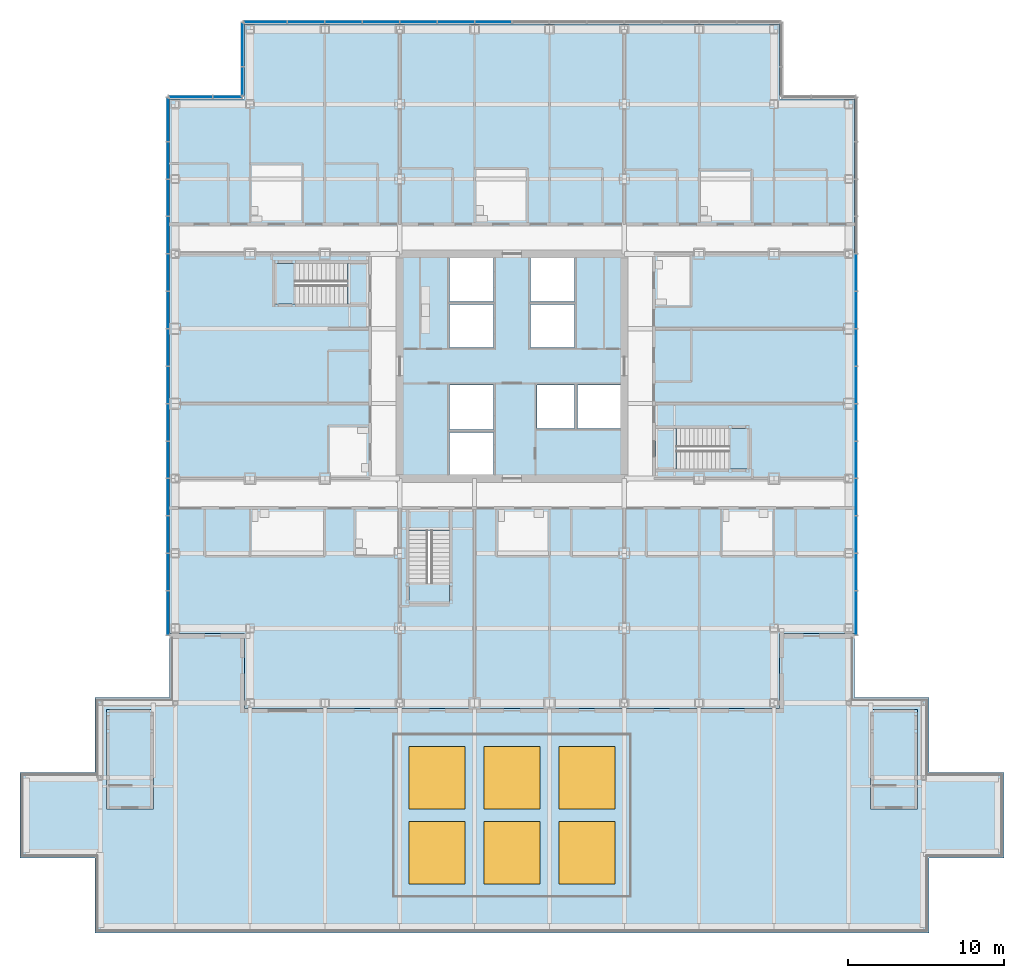
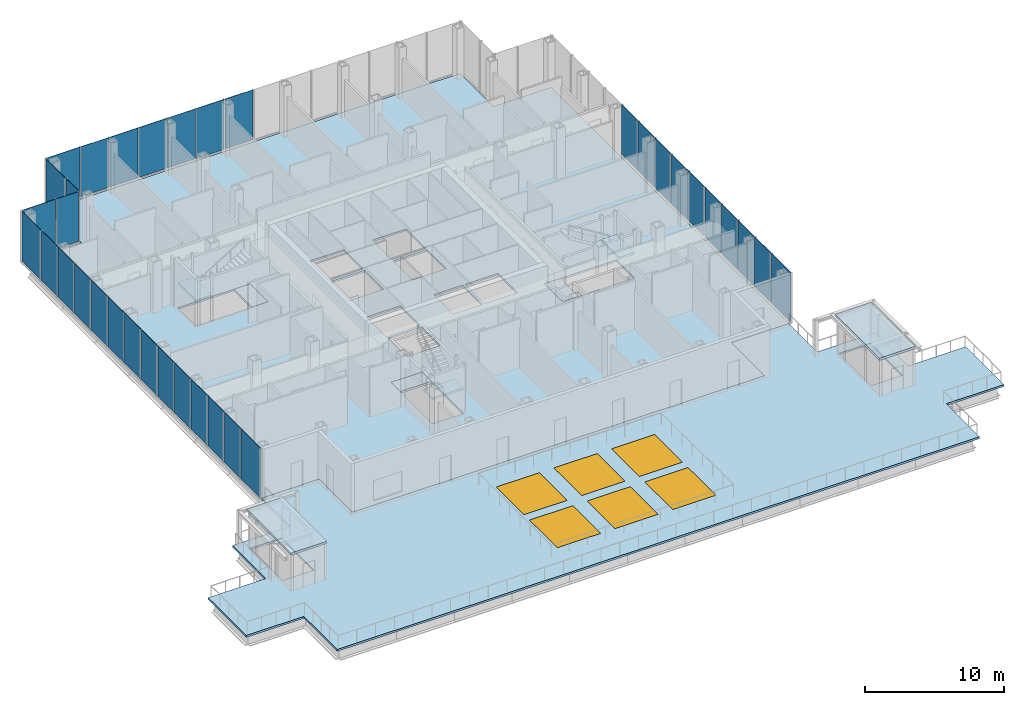
# One storey, part 14 of 24: 35 plates, 10 slabs, 6 windows, 6 openings, 8 elements without a shape of their own.
"""IFC4 building model written with IfcOpenShell, lengths in metres."""

from ifc_helpers import new_model, si_unit, direction, frame, origin, origin_2d, place, context, subcontext, project, spatial, polyline, rectangle, outline, extrude, material, layer, layer_set, type_object, element, fill, aggregate, save


model = new_model("IFC4")

# Units and contexts
model_context = context("Model", 3, precision=1e-05, world=origin(), true_north=direction((0.0, 1.0)))
body_context = subcontext(model_context, "Body", "Model", "MODEL_VIEW")
ifc_project = project(units=[si_unit("LENGTHUNIT", "METRE"), si_unit("AREAUNIT", "SQUARE_METRE"), si_unit("VOLUMEUNIT", "CUBIC_METRE"), si_unit("PLANEANGLEUNIT", "RADIAN"), si_unit("MASSUNIT", "GRAM", prefix="KILO")], contexts=[model_context])

# Site, building, storey
site_placement = place(None, origin())
site = spatial("IfcSite", under=ifc_project, at=site_placement, CompositionType="ELEMENT")
building_placement = place(site_placement, origin())
building = spatial("IfcBuilding", under=site, at=building_placement, Name="Kvirike Care Tower", CompositionType="ELEMENT")
storey_placement = place(building_placement, frame((0.0, 0.0, 22.5)))
storey = spatial("IfcBuildingStorey", under=building, at=storey_placement, Name="L05", CompositionType="ELEMENT", Elevation=22.5)

# Slabs
ifc_material_1 = material(Name="Concrete C35/45", Category="concrete")
ifc_layer_1 = layer(ifc_material_1, 0.169921875)
ifc_layer_set_1 = layer_set([ifc_layer_1], Name="FLOOR SLAB 170")
slab_type_1 = type_object("IfcSlabType", Name="FLOOR SLAB 170", PredefinedType="FLOOR", material=ifc_layer_set_1)
slab_1_placement = place(storey_placement, frame((0.0, 0.0, -0.169921875)))
element("IfcSlab", 1, at=slab_1_placement, inside=storey, type_object=slab_type_1, Name="Floor slab L05", PredefinedType="FLOOR", context=body_context, shape_type="SweptSolid", body=[
    extrude(outline(polyline([(-0.35009765625, 53.14990234375), (-0.35009765625, 18.85009765625), (4.449951171875, 18.85009765625), (4.449951171875, 14.050048828125), (38.75, 14.050048828125), (38.75, 18.85009765625), (43.550048828125, 18.85009765625), (43.550048828125, 53.14990234375), (38.75, 53.14990234375), (38.75, 57.949951171875), (4.449951171875, 57.949951171875), (4.449951171875, 53.14990234375), (-0.35009765625, 53.14990234375)]), holes=[polyline([(17.60009765625, 29.050048828125), (17.60009765625, 31.75), (20.39990234375, 31.75), (20.39990234375, 29.050048828125), (17.60009765625, 29.050048828125)]), polyline([(17.60009765625, 31.949951171875), (17.60009765625, 34.800048828125), (20.39990234375, 34.800048828125), (20.39990234375, 31.949951171875), (17.60009765625, 31.949951171875)]), polyline([(17.60009765625, 37.199951171875), (17.60009765625, 39.949951171875), (20.39990234375, 39.949951171875), (20.39990234375, 37.199951171875), (17.60009765625, 37.199951171875)]), polyline([(17.60009765625, 40.14990234375), (17.60009765625, 42.949951171875), (20.39990234375, 42.949951171875), (20.39990234375, 40.14990234375), (17.60009765625, 40.14990234375)]), polyline([(22.800048828125, 37.199951171875), (22.800048828125, 39.949951171875), (25.60009765625, 39.949951171875), (25.60009765625, 37.199951171875), (22.800048828125, 37.199951171875)]), polyline([(22.800048828125, 40.14990234375), (22.800048828125, 42.949951171875), (25.60009765625, 42.949951171875), (25.60009765625, 40.14990234375), (22.800048828125, 40.14990234375)]), polyline([(23.199951171875, 32.0), (23.199951171875, 34.800048828125), (25.60009765625, 34.800048828125), (25.60009765625, 32.0), (23.199951171875, 32.0)]), polyline([(25.800048828125, 32.0), (25.800048828125, 34.800048828125), (28.550048828125, 34.800048828125), (28.550048828125, 32.0), (25.800048828125, 32.0)]), polyline([(12.39990234375, 42.60009765625), (12.39990234375, 40.0), (6.39990234375, 40.0), (6.39990234375, 42.60009765625), (12.39990234375, 42.60009765625)]), polyline([(30.800048828125, 29.39990234375), (30.800048828125, 32.0), (36.800048828125, 32.0), (36.800048828125, 29.39990234375), (30.800048828125, 29.39990234375)]), polyline([(15.0, 26.800048828125), (17.60009765625, 26.800048828125), (17.60009765625, 20.800048828125), (15.0, 20.800048828125), (15.0, 26.800048828125)])]), origin(), (0.0, 0.0, 1.0), 0.169921875),
])
ifc_material_2 = material(Name="Concrete C35/45", Category="concrete")
ifc_layer_2 = layer(ifc_material_2, 0.199951171875)
ifc_layer_set_2 = layer_set([ifc_layer_2], Name="HEAD-HOUSE ROOF SLAB 200")
slab_type_2 = type_object("IfcSlabType", Name="HEAD-HOUSE ROOF SLAB 200", PredefinedType="ROOF", material=ifc_layer_set_2)
slab_2_placement = place(storey_placement, frame((0.0, 0.0, 3.199951171875)))
element("IfcSlab", 2, at=slab_2_placement, inside=storey, type_object=slab_type_2, Name="Stair 3 head-house roof", PredefinedType="ROOF", context=body_context, shape_type="SweptSolid", body=[
    extrude(outline(polyline([(-4.39990234375, 14.0), (-4.39990234375, 7.60009765625), (-1.39990234375, 7.60009765625), (-1.39990234375, 14.0), (-4.39990234375, 14.0)])), origin(), (0.0, 0.0, 1.0), 0.199951171875),
])
slab_3_placement = place(storey_placement, frame((0.0, 0.0, 3.199951171875)))
element("IfcSlab", 3, at=slab_3_placement, inside=storey, type_object=slab_type_2, Name="Stair 4 head-house roof", PredefinedType="ROOF", context=body_context, shape_type="SweptSolid", body=[
    extrude(outline(polyline([(44.60009765625, 14.0), (44.60009765625, 7.60009765625), (47.60009765625, 7.60009765625), (47.60009765625, 14.0), (44.60009765625, 14.0)])), origin(), (0.0, 0.0, 1.0), 0.199951171875),
])

# Curtain wall, plates
ifc_material_3 = material(Name="Anodised aluminium stick system", Category="aluminium")
curtain_wall_type = type_object("IfcCurtainWallType", Name="CW-P PODIUM STICK CURTAIN WALL", PredefinedType="NOTDEFINED", material=ifc_material_3)
curtain_wall_1_placement = place(storey_placement, origin())
curtain_wall_1 = element("IfcCurtainWall", 4, at=curtain_wall_1_placement, inside=storey, type_object=curtain_wall_type, Name="Curtain wall L05 face 1", PredefinedType="NOTDEFINED")
ifc_material_4 = material(Name="Tinted double glazed unit", Category="glass")
ifc_layer_3 = layer(ifc_material_4, 0.031982421875)
ifc_layer_set_3 = layer_set([ifc_layer_3], Name="PODIUM VISION PANEL 32")
plate_type = type_object("IfcPlateType", Name="PODIUM VISION PANEL 32", PredefinedType="CURTAIN_PANEL", material=ifc_layer_set_3)
plate_1_placement = place(storey_placement, frame((-0.47509765625, 51.8212890625, 0.10009765625), z_axis=(0.0, 0.0, 1.0), x_axis=(0.0, -1.0, 0.0)))
plate_1 = element("IfcPlate", 5, at=plate_1_placement, type_object=plate_type, Name="CW-P panel L05 face 1.1", PredefinedType="CURTAIN_PANEL", context=body_context, shape_type="SweptSolid", body=[
    extrude(rectangle(XDim=2.777587890625, YDim=0.031982421875, at=origin_2d()), origin(), (0.0, 0.0, 1.0), 4.39990234375),
])
plate_2_placement = place(storey_placement, frame((-0.47509765625, 49.199951171875, 0.10009765625), z_axis=(0.0, 0.0, 1.0), x_axis=(0.0, -1.0, 0.0)))
plate_2 = element("IfcPlate", 6, at=plate_2_placement, type_object=plate_type, Name="CW-P panel L05 face 1.2", PredefinedType="CURTAIN_PANEL", context=body_context, shape_type="SweptSolid", body=[
    extrude(rectangle(XDim=2.3349609375, YDim=0.031982421875, at=origin_2d()), origin(), (0.0, 0.0, 1.0), 4.39990234375),
])
plate_3_placement = place(storey_placement, frame((-0.47509765625, 46.800048828125, 0.10009765625), z_axis=(0.0, 0.0, 1.0), x_axis=(0.0, -1.0, 0.0)))
plate_3 = element("IfcPlate", 7, at=plate_3_placement, type_object=plate_type, Name="CW-P panel L05 face 1.3", PredefinedType="CURTAIN_PANEL", context=body_context, shape_type="SweptSolid", body=[
    extrude(rectangle(XDim=2.3349609375, YDim=0.031982421875, at=origin_2d()), origin(), (0.0, 0.0, 1.0), 4.39990234375),
])
plate_4_placement = place(storey_placement, frame((-0.47509765625, 44.39990234375, 0.10009765625), z_axis=(0.0, 0.0, 1.0), x_axis=(0.0, -1.0, 0.0)))
plate_4 = element("IfcPlate", 8, at=plate_4_placement, type_object=plate_type, Name="CW-P panel L05 face 1.4", PredefinedType="CURTAIN_PANEL", context=body_context, shape_type="SweptSolid", body=[
    extrude(rectangle(XDim=2.3349609375, YDim=0.031982421875, at=origin_2d()), origin(), (0.0, 0.0, 1.0), 4.39990234375),
])
plate_5_placement = place(storey_placement, frame((-0.47509765625, 42.0, 0.10009765625), z_axis=(0.0, 0.0, 1.0), x_axis=(0.0, -1.0, 0.0)))
plate_5 = element("IfcPlate", 9, at=plate_5_placement, type_object=plate_type, Name="CW-P panel L05 face 1.5", PredefinedType="CURTAIN_PANEL", context=body_context, shape_type="SweptSolid", body=[
    extrude(rectangle(XDim=2.3349609375, YDim=0.031982421875, at=origin_2d()), origin(), (0.0, 0.0, 1.0), 4.39990234375),
])
plate_6_placement = place(storey_placement, frame((-0.47509765625, 39.60009765625, 0.10009765625), z_axis=(0.0, 0.0, 1.0), x_axis=(0.0, -1.0, 0.0)))
plate_6 = element("IfcPlate", 10, at=plate_6_placement, type_object=plate_type, Name="CW-P panel L05 face 1.6", PredefinedType="CURTAIN_PANEL", context=body_context, shape_type="SweptSolid", body=[
    extrude(rectangle(XDim=2.3349609375, YDim=0.031982421875, at=origin_2d()), origin(), (0.0, 0.0, 1.0), 4.39990234375),
])
plate_7_placement = place(storey_placement, frame((-0.47509765625, 37.199951171875, 0.10009765625), z_axis=(0.0, 0.0, 1.0), x_axis=(0.0, -1.0, 0.0)))
plate_7 = element("IfcPlate", 11, at=plate_7_placement, type_object=plate_type, Name="CW-P panel L05 face 1.7", PredefinedType="CURTAIN_PANEL", context=body_context, shape_type="SweptSolid", body=[
    extrude(rectangle(XDim=2.3349609375, YDim=0.031982421875, at=origin_2d()), origin(), (0.0, 0.0, 1.0), 4.39990234375),
])
plate_8_placement = place(storey_placement, frame((-0.47509765625, 34.800048828125, 0.10009765625), z_axis=(0.0, 0.0, 1.0), x_axis=(0.0, -1.0, 0.0)))
plate_8 = element("IfcPlate", 12, at=plate_8_placement, type_object=plate_type, Name="CW-P panel L05 face 1.8", PredefinedType="CURTAIN_PANEL", context=body_context, shape_type="SweptSolid", body=[
    extrude(rectangle(XDim=2.3349609375, YDim=0.031982421875, at=origin_2d()), origin(), (0.0, 0.0, 1.0), 4.39990234375),
])
plate_9_placement = place(storey_placement, frame((-0.47509765625, 32.39990234375, 0.10009765625), z_axis=(0.0, 0.0, 1.0), x_axis=(0.0, -1.0, 0.0)))
plate_9 = element("IfcPlate", 13, at=plate_9_placement, type_object=plate_type, Name="CW-P panel L05 face 1.9", PredefinedType="CURTAIN_PANEL", context=body_context, shape_type="SweptSolid", body=[
    extrude(rectangle(XDim=2.3349609375, YDim=0.031982421875, at=origin_2d()), origin(), (0.0, 0.0, 1.0), 4.39990234375),
])
plate_10_placement = place(storey_placement, frame((-0.47509765625, 30.0, 0.10009765625), z_axis=(0.0, 0.0, 1.0), x_axis=(0.0, -1.0, 0.0)))
plate_10 = element("IfcPlate", 14, at=plate_10_placement, type_object=plate_type, Name="CW-P panel L05 face 1.10", PredefinedType="CURTAIN_PANEL", context=body_context, shape_type="SweptSolid", body=[
    extrude(rectangle(XDim=2.3349609375, YDim=0.031982421875, at=origin_2d()), origin(), (0.0, 0.0, 1.0), 4.39990234375),
])
plate_11_placement = place(storey_placement, frame((-0.47509765625, 27.60009765625, 0.10009765625), z_axis=(0.0, 0.0, 1.0), x_axis=(0.0, -1.0, 0.0)))
plate_11 = element("IfcPlate", 15, at=plate_11_placement, type_object=plate_type, Name="CW-P panel L05 face 1.11", PredefinedType="CURTAIN_PANEL", context=body_context, shape_type="SweptSolid", body=[
    extrude(rectangle(XDim=2.3349609375, YDim=0.031982421875, at=origin_2d()), origin(), (0.0, 0.0, 1.0), 4.39990234375),
])
plate_12_placement = place(storey_placement, frame((-0.47509765625, 25.199951171875, 0.10009765625), z_axis=(0.0, 0.0, 1.0), x_axis=(0.0, -1.0, 0.0)))
plate_12 = element("IfcPlate", 16, at=plate_12_placement, type_object=plate_type, Name="CW-P panel L05 face 1.12", PredefinedType="CURTAIN_PANEL", context=body_context, shape_type="SweptSolid", body=[
    extrude(rectangle(XDim=2.3349609375, YDim=0.031982421875, at=origin_2d()), origin(), (0.0, 0.0, 1.0), 4.39990234375),
])
plate_13_placement = place(storey_placement, frame((-0.47509765625, 22.800048828125, 0.10009765625), z_axis=(0.0, 0.0, 1.0), x_axis=(0.0, -1.0, 0.0)))
plate_13 = element("IfcPlate", 17, at=plate_13_placement, type_object=plate_type, Name="CW-P panel L05 face 1.13", PredefinedType="CURTAIN_PANEL", context=body_context, shape_type="SweptSolid", body=[
    extrude(rectangle(XDim=2.3349609375, YDim=0.031982421875, at=origin_2d()), origin(), (0.0, 0.0, 1.0), 4.39990234375),
])
plate_14_placement = place(storey_placement, frame((-0.47509765625, 20.1787109375, 0.10009765625), z_axis=(0.0, 0.0, 1.0), x_axis=(0.0, -1.0, 0.0)))
plate_14 = element("IfcPlate", 18, at=plate_14_placement, type_object=plate_type, Name="CW-P panel L05 face 1.14", PredefinedType="CURTAIN_PANEL", context=body_context, shape_type="SweptSolid", body=[
    extrude(rectangle(XDim=2.777587890625, YDim=0.031982421875, at=origin_2d()), origin(), (0.0, 0.0, 1.0), 4.39990234375),
])
aggregate(curtain_wall_1, [plate_1, plate_2, plate_3, plate_4, plate_5, plate_6, plate_7, plate_8, plate_9, plate_10, plate_11, plate_12, plate_13, plate_14])

curtain_wall_2_placement = place(storey_placement, origin())
curtain_wall_2 = element("IfcCurtainWall", 19, at=curtain_wall_2_placement, inside=storey, type_object=curtain_wall_type, Name="Curtain wall L05 face 7", PredefinedType="NOTDEFINED")
plate_15_placement = place(storey_placement, frame((43.675048828125, 20.1787109375, 0.10009765625), z_axis=(0.0, 0.0, 1.0), x_axis=(0.0, 1.0, 0.0)))
plate_15 = element("IfcPlate", 20, at=plate_15_placement, type_object=plate_type, Name="CW-P panel L05 face 7.1", PredefinedType="CURTAIN_PANEL", context=body_context, shape_type="SweptSolid", body=[
    extrude(rectangle(XDim=2.777587890625, YDim=0.031982421875, at=origin_2d()), origin(), (0.0, 0.0, 1.0), 4.39990234375),
])
plate_16_placement = place(storey_placement, frame((43.675048828125, 22.800048828125, 0.10009765625), z_axis=(0.0, 0.0, 1.0), x_axis=(0.0, 1.0, 0.0)))
plate_16 = element("IfcPlate", 21, at=plate_16_placement, type_object=plate_type, Name="CW-P panel L05 face 7.2", PredefinedType="CURTAIN_PANEL", context=body_context, shape_type="SweptSolid", body=[
    extrude(rectangle(XDim=2.3349609375, YDim=0.031982421875, at=origin_2d()), origin(), (0.0, 0.0, 1.0), 4.39990234375),
])
plate_17_placement = place(storey_placement, frame((43.675048828125, 25.199951171875, 0.10009765625), z_axis=(0.0, 0.0, 1.0), x_axis=(0.0, 1.0, 0.0)))
plate_17 = element("IfcPlate", 22, at=plate_17_placement, type_object=plate_type, Name="CW-P panel L05 face 7.3", PredefinedType="CURTAIN_PANEL", context=body_context, shape_type="SweptSolid", body=[
    extrude(rectangle(XDim=2.3349609375, YDim=0.031982421875, at=origin_2d()), origin(), (0.0, 0.0, 1.0), 4.39990234375),
])
plate_18_placement = place(storey_placement, frame((43.675048828125, 27.60009765625, 0.10009765625), z_axis=(0.0, 0.0, 1.0), x_axis=(0.0, 1.0, 0.0)))
plate_18 = element("IfcPlate", 23, at=plate_18_placement, type_object=plate_type, Name="CW-P panel L05 face 7.4", PredefinedType="CURTAIN_PANEL", context=body_context, shape_type="SweptSolid", body=[
    extrude(rectangle(XDim=2.3349609375, YDim=0.031982421875, at=origin_2d()), origin(), (0.0, 0.0, 1.0), 4.39990234375),
])
plate_19_placement = place(storey_placement, frame((43.675048828125, 30.0, 0.10009765625), z_axis=(0.0, 0.0, 1.0), x_axis=(0.0, 1.0, 0.0)))
plate_19 = element("IfcPlate", 24, at=plate_19_placement, type_object=plate_type, Name="CW-P panel L05 face 7.5", PredefinedType="CURTAIN_PANEL", context=body_context, shape_type="SweptSolid", body=[
    extrude(rectangle(XDim=2.3349609375, YDim=0.031982421875, at=origin_2d()), origin(), (0.0, 0.0, 1.0), 4.39990234375),
])
plate_20_placement = place(storey_placement, frame((43.675048828125, 32.39990234375, 0.10009765625), z_axis=(0.0, 0.0, 1.0), x_axis=(0.0, 1.0, 0.0)))
plate_20 = element("IfcPlate", 25, at=plate_20_placement, type_object=plate_type, Name="CW-P panel L05 face 7.6", PredefinedType="CURTAIN_PANEL", context=body_context, shape_type="SweptSolid", body=[
    extrude(rectangle(XDim=2.3349609375, YDim=0.031982421875, at=origin_2d()), origin(), (0.0, 0.0, 1.0), 4.39990234375),
])
plate_21_placement = place(storey_placement, frame((43.675048828125, 34.800048828125, 0.10009765625), z_axis=(0.0, 0.0, 1.0), x_axis=(0.0, 1.0, 0.0)))
plate_21 = element("IfcPlate", 26, at=plate_21_placement, type_object=plate_type, Name="CW-P panel L05 face 7.7", PredefinedType="CURTAIN_PANEL", context=body_context, shape_type="SweptSolid", body=[
    extrude(rectangle(XDim=2.3349609375, YDim=0.031982421875, at=origin_2d()), origin(), (0.0, 0.0, 1.0), 4.39990234375),
])
plate_22_placement = place(storey_placement, frame((43.675048828125, 37.199951171875, 0.10009765625), z_axis=(0.0, 0.0, 1.0), x_axis=(0.0, 1.0, 0.0)))
plate_22 = element("IfcPlate", 27, at=plate_22_placement, type_object=plate_type, Name="CW-P panel L05 face 7.8", PredefinedType="CURTAIN_PANEL", context=body_context, shape_type="SweptSolid", body=[
    extrude(rectangle(XDim=2.3349609375, YDim=0.031982421875, at=origin_2d()), origin(), (0.0, 0.0, 1.0), 4.39990234375),
])
plate_23_placement = place(storey_placement, frame((43.675048828125, 39.60009765625, 0.10009765625), z_axis=(0.0, 0.0, 1.0), x_axis=(0.0, 1.0, 0.0)))
plate_23 = element("IfcPlate", 28, at=plate_23_placement, type_object=plate_type, Name="CW-P panel L05 face 7.9", PredefinedType="CURTAIN_PANEL", context=body_context, shape_type="SweptSolid", body=[
    extrude(rectangle(XDim=2.3349609375, YDim=0.031982421875, at=origin_2d()), origin(), (0.0, 0.0, 1.0), 4.39990234375),
])
plate_24_placement = place(storey_placement, frame((43.675048828125, 42.0, 0.10009765625), z_axis=(0.0, 0.0, 1.0), x_axis=(0.0, 1.0, 0.0)))
plate_24 = element("IfcPlate", 29, at=plate_24_placement, type_object=plate_type, Name="CW-P panel L05 face 7.10", PredefinedType="CURTAIN_PANEL", context=body_context, shape_type="SweptSolid", body=[
    extrude(rectangle(XDim=2.3349609375, YDim=0.031982421875, at=origin_2d()), origin(), (0.0, 0.0, 1.0), 4.39990234375),
])
aggregate(curtain_wall_2, [plate_15, plate_16, plate_17, plate_18, plate_19, plate_20, plate_21, plate_22, plate_23, plate_24])

curtain_wall_3_placement = place(storey_placement, origin())
curtain_wall_3 = element("IfcCurtainWall", 30, at=curtain_wall_3_placement, inside=storey, type_object=curtain_wall_type, Name="Curtain wall L05 face 10", PredefinedType="NOTDEFINED")
plate_25_placement = place(storey_placement, frame((20.39990234375, 58.074951171875, 0.10009765625), z_axis=(0.0, 0.0, 1.0), x_axis=(-1.0, 0.0, 0.0)))
plate_25 = element("IfcPlate", 31, at=plate_25_placement, type_object=plate_type, Name="CW-P panel L05 face 10.8", PredefinedType="CURTAIN_PANEL", context=body_context, shape_type="SweptSolid", body=[
    extrude(rectangle(XDim=2.3349609375, YDim=0.031982421875, at=origin_2d()), origin(), (0.0, 0.0, 1.0), 4.39990234375),
])
plate_26_placement = place(storey_placement, frame((18.0, 58.074951171875, 0.10009765625), z_axis=(0.0, 0.0, 1.0), x_axis=(-1.0, 0.0, 0.0)))
plate_26 = element("IfcPlate", 32, at=plate_26_placement, type_object=plate_type, Name="CW-P panel L05 face 10.9", PredefinedType="CURTAIN_PANEL", context=body_context, shape_type="SweptSolid", body=[
    extrude(rectangle(XDim=2.3349609375, YDim=0.031982421875, at=origin_2d()), origin(), (0.0, 0.0, 1.0), 4.39990234375),
])
plate_27_placement = place(storey_placement, frame((15.60009765625, 58.074951171875, 0.10009765625), z_axis=(0.0, 0.0, 1.0), x_axis=(-1.0, 0.0, 0.0)))
plate_27 = element("IfcPlate", 33, at=plate_27_placement, type_object=plate_type, Name="CW-P panel L05 face 10.10", PredefinedType="CURTAIN_PANEL", context=body_context, shape_type="SweptSolid", body=[
    extrude(rectangle(XDim=2.3349609375, YDim=0.031982421875, at=origin_2d()), origin(), (0.0, 0.0, 1.0), 4.39990234375),
])
plate_28_placement = place(storey_placement, frame((13.199951171875, 58.074951171875, 0.10009765625), z_axis=(0.0, 0.0, 1.0), x_axis=(-1.0, 0.0, 0.0)))
plate_28 = element("IfcPlate", 34, at=plate_28_placement, type_object=plate_type, Name="CW-P panel L05 face 10.11", PredefinedType="CURTAIN_PANEL", context=body_context, shape_type="SweptSolid", body=[
    extrude(rectangle(XDim=2.3349609375, YDim=0.031982421875, at=origin_2d()), origin(), (0.0, 0.0, 1.0), 4.39990234375),
])
plate_29_placement = place(storey_placement, frame((10.800048828125, 58.074951171875, 0.10009765625), z_axis=(0.0, 0.0, 1.0), x_axis=(-1.0, 0.0, 0.0)))
plate_29 = element("IfcPlate", 35, at=plate_29_placement, type_object=plate_type, Name="CW-P panel L05 face 10.12", PredefinedType="CURTAIN_PANEL", context=body_context, shape_type="SweptSolid", body=[
    extrude(rectangle(XDim=2.3349609375, YDim=0.031982421875, at=origin_2d()), origin(), (0.0, 0.0, 1.0), 4.39990234375),
])
plate_30_placement = place(storey_placement, frame((8.39990234375, 58.074951171875, 0.10009765625), z_axis=(0.0, 0.0, 1.0), x_axis=(-1.0, 0.0, 0.0)))
plate_30 = element("IfcPlate", 36, at=plate_30_placement, type_object=plate_type, Name="CW-P panel L05 face 10.13", PredefinedType="CURTAIN_PANEL", context=body_context, shape_type="SweptSolid", body=[
    extrude(rectangle(XDim=2.3349609375, YDim=0.031982421875, at=origin_2d()), origin(), (0.0, 0.0, 1.0), 4.39990234375),
])
plate_31_placement = place(storey_placement, frame((5.77880859375, 58.074951171875, 0.10009765625), z_axis=(0.0, 0.0, 1.0), x_axis=(-1.0, 0.0, 0.0)))
plate_31 = element("IfcPlate", 37, at=plate_31_placement, type_object=plate_type, Name="CW-P panel L05 face 10.14", PredefinedType="CURTAIN_PANEL", context=body_context, shape_type="SweptSolid", body=[
    extrude(rectangle(XDim=2.777587890625, YDim=0.031982421875, at=origin_2d()), origin(), (0.0, 0.0, 1.0), 4.39990234375),
])
aggregate(curtain_wall_3, [plate_25, plate_26, plate_27, plate_28, plate_29, plate_30, plate_31])

curtain_wall_4_placement = place(storey_placement, origin())
curtain_wall_4 = element("IfcCurtainWall", 38, at=curtain_wall_4_placement, inside=storey, type_object=curtain_wall_type, Name="Curtain wall L05 face 11", PredefinedType="NOTDEFINED")
plate_32_placement = place(storey_placement, frame((4.324951171875, 56.621337890625, 0.10009765625), z_axis=(0.0, 0.0, 1.0), x_axis=(0.0, -1.0, 0.0)))
plate_32 = element("IfcPlate", 39, at=plate_32_placement, type_object=plate_type, Name="CW-P panel L05 face 11.1", PredefinedType="CURTAIN_PANEL", context=body_context, shape_type="SweptSolid", body=[
    extrude(rectangle(XDim=2.777587890625, YDim=0.031982421875, at=origin_2d()), origin(), (0.0, 0.0, 1.0), 4.39990234375),
])
plate_33_placement = place(storey_placement, frame((4.324951171875, 54.253662109375, 0.10009765625), z_axis=(0.0, 0.0, 1.0), x_axis=(0.0, -1.0, 0.0)))
plate_33 = element("IfcPlate", 40, at=plate_33_placement, type_object=plate_type, Name="CW-P panel L05 face 11.2", PredefinedType="CURTAIN_PANEL", context=body_context, shape_type="SweptSolid", body=[
    extrude(rectangle(XDim=1.827392578125, YDim=0.031982421875, at=origin_2d()), origin(), (0.0, 0.0, 1.0), 4.39990234375),
])
aggregate(curtain_wall_4, [plate_32, plate_33])

curtain_wall_5_placement = place(storey_placement, origin())
curtain_wall_5 = element("IfcCurtainWall", 41, at=curtain_wall_5_placement, inside=storey, type_object=curtain_wall_type, Name="Curtain wall L05 face 12", PredefinedType="NOTDEFINED")
plate_34_placement = place(storey_placement, frame((3.34619140625, 53.27490234375, 0.10009765625), z_axis=(0.0, 0.0, 1.0), x_axis=(-1.0, 0.0, 0.0)))
plate_34 = element("IfcPlate", 42, at=plate_34_placement, type_object=plate_type, Name="CW-P panel L05 face 12.1", PredefinedType="CURTAIN_PANEL", context=body_context, shape_type="SweptSolid", body=[
    extrude(rectangle(XDim=1.827392578125, YDim=0.031982421875, at=origin_2d()), origin(), (0.0, 0.0, 1.0), 4.39990234375),
])
plate_35_placement = place(storey_placement, frame((0.978759765625, 53.27490234375, 0.10009765625), z_axis=(0.0, 0.0, 1.0), x_axis=(-1.0, 0.0, 0.0)))
plate_35 = element("IfcPlate", 43, at=plate_35_placement, type_object=plate_type, Name="CW-P panel L05 face 12.2", PredefinedType="CURTAIN_PANEL", context=body_context, shape_type="SweptSolid", body=[
    extrude(rectangle(XDim=2.777587890625, YDim=0.031982421875, at=origin_2d()), origin(), (0.0, 0.0, 1.0), 4.39990234375),
])
aggregate(curtain_wall_5, [plate_34, plate_35])

# Stair, slabs
ifc_material_5 = material(Name="Concrete C35/45", Category="concrete")
stair_type = type_object("IfcStairType", Name="STAIR 26 RISERS", PredefinedType="HALF_TURN_STAIR", material=ifc_material_5)
stair_1_placement = place(storey_placement, origin())
stair_1 = element("IfcStair", 44, at=stair_1_placement, inside=storey, type_object=stair_type, Name="Stair 1 L05", PredefinedType="HALF_TURN_STAIR")
ifc_material_6 = material(Name="Concrete C35/45", Category="concrete")
ifc_layer_4 = layer(ifc_material_6, 0.199951171875)
ifc_layer_set_4 = layer_set([ifc_layer_4], Name="STAIR LANDING 200")
slab_type_3 = type_object("IfcSlabType", Name="STAIR LANDING 200", PredefinedType="LANDING", material=ifc_layer_set_4)
slab_4_placement = place(storey_placement, frame((0.0, 0.0, -0.199951171875)))
slab_4 = element("IfcSlab", 45, at=slab_4_placement, type_object=slab_type_3, Name="Stair S1 floor landing L05", PredefinedType="LANDING", context=body_context, shape_type="SweptSolid", body=[
    extrude(outline(polyline([(11.06005859375, 42.60009765625), (11.06005859375, 40.0), (12.39990234375, 40.0), (12.39990234375, 42.60009765625), (11.06005859375, 42.60009765625)])), origin(), (0.0, 0.0, 1.0), 0.199951171875),
])
slab_5_placement = place(storey_placement, frame((0.0, 0.0, 2.050048828125)))
slab_5 = element("IfcSlab", 46, at=slab_5_placement, type_object=slab_type_3, Name="Stair S1 half landing L05-L06", PredefinedType="LANDING", context=body_context, shape_type="SweptSolid", body=[
    extrude(outline(polyline([(6.39990234375, 42.60009765625), (6.39990234375, 40.0), (7.699951171875, 40.0), (7.699951171875, 42.60009765625), (6.39990234375, 42.60009765625)])), origin(), (0.0, 0.0, 1.0), 0.199951171875),
])
aggregate(stair_1, [slab_4, slab_5])

stair_2_placement = place(storey_placement, origin())
stair_2 = element("IfcStair", 47, at=stair_2_placement, inside=storey, type_object=stair_type, Name="Stair 2 L05", PredefinedType="HALF_TURN_STAIR")
slab_6_placement = place(storey_placement, frame((0.0, 0.0, -0.199951171875)))
slab_6 = element("IfcSlab", 48, at=slab_6_placement, type_object=slab_type_3, Name="Stair S2 floor landing L05", PredefinedType="LANDING", context=body_context, shape_type="SweptSolid", body=[
    extrude(outline(polyline([(32.139892578125, 29.39990234375), (32.139892578125, 32.0), (30.800048828125, 32.0), (30.800048828125, 29.39990234375), (32.139892578125, 29.39990234375)])), origin(), (0.0, 0.0, 1.0), 0.199951171875),
])
slab_7_placement = place(storey_placement, frame((0.0, 0.0, 2.050048828125)))
slab_7 = element("IfcSlab", 49, at=slab_7_placement, type_object=slab_type_3, Name="Stair S2 half landing L05-L06", PredefinedType="LANDING", context=body_context, shape_type="SweptSolid", body=[
    extrude(outline(polyline([(36.800048828125, 29.39990234375), (36.800048828125, 32.0), (35.5, 32.0), (35.5, 29.39990234375), (36.800048828125, 29.39990234375)])), origin(), (0.0, 0.0, 1.0), 0.199951171875),
])
aggregate(stair_2, [slab_6, slab_7])

stair_3_placement = place(storey_placement, origin())
stair_3 = element("IfcStair", 50, at=stair_3_placement, inside=storey, type_object=stair_type, Name="Stair 5 L05", PredefinedType="HALF_TURN_STAIR")
slab_8_placement = place(storey_placement, frame((0.0, 0.0, -0.199951171875)))
slab_8 = element("IfcSlab", 51, at=slab_8_placement, type_object=slab_type_3, Name="Stair S5 floor landing L05", PredefinedType="LANDING", context=body_context, shape_type="SweptSolid", body=[
    extrude(outline(polyline([(15.0, 25.4599609375), (17.60009765625, 25.4599609375), (17.60009765625, 26.800048828125), (15.0, 26.800048828125), (15.0, 25.4599609375)])), origin(), (0.0, 0.0, 1.0), 0.199951171875),
])
slab_9_placement = place(storey_placement, frame((0.0, 0.0, 2.050048828125)))
slab_9 = element("IfcSlab", 52, at=slab_9_placement, type_object=slab_type_3, Name="Stair S5 half landing L05-L06", PredefinedType="LANDING", context=body_context, shape_type="SweptSolid", body=[
    extrude(outline(polyline([(15.0, 20.800048828125), (17.60009765625, 20.800048828125), (17.60009765625, 22.10009765625), (15.0, 22.10009765625), (15.0, 20.800048828125)])), origin(), (0.0, 0.0, 1.0), 0.199951171875),
])
aggregate(stair_3, [slab_8, slab_9])

# Slab, openings, windows
ifc_material_7 = material(Name="Concrete C35/45", Category="concrete")
ifc_layer_5 = layer(ifc_material_7, 0.169921875)
ifc_layer_set_5 = layer_set([ifc_layer_5], Name="TERRACE SLAB 170")
slab_type_4 = type_object("IfcSlabType", Name="TERRACE SLAB 170", PredefinedType="ROOF", material=ifc_layer_set_5)
slab_10_placement = place(storey_placement, frame((0.0, 0.0, -0.169921875)))
slab_10 = element("IfcSlab", 53, at=slab_10_placement, inside=storey, type_object=slab_type_4, Name="Terrace L05 1", PredefinedType="ROOF", context=body_context, shape_type="SweptSolid", body=[
    extrude(outline(polyline([(43.550048828125, 14.75), (43.550048828125, 18.85009765625), (38.75, 18.85009765625), (38.75, 14.050048828125), (4.449951171875, 14.050048828125), (4.449951171875, 18.85009765625), (-0.35009765625, 18.85009765625), (-0.35009765625, 14.75), (-5.14990234375, 14.75), (-5.14990234375, 9.949951171875), (-9.949951171875, 9.949951171875), (-9.949951171875, 4.449951171875), (-5.14990234375, 4.449951171875), (-5.14990234375, -0.35009765625), (48.35009765625, -0.35009765625), (48.35009765625, 4.449951171875), (53.14990234375, 4.449951171875), (53.14990234375, 9.949951171875), (48.35009765625, 9.949951171875), (48.35009765625, 14.75), (43.550048828125, 14.75)]), holes=[polyline([(-1.60009765625, 13.800048828125), (-1.60009765625, 9.139892578125), (-4.199951171875, 9.139892578125), (-4.199951171875, 13.800048828125), (-1.60009765625, 13.800048828125)]), polyline([(47.39990234375, 13.800048828125), (47.39990234375, 9.139892578125), (44.800048828125, 9.139892578125), (44.800048828125, 13.800048828125), (47.39990234375, 13.800048828125)])]), origin(), (0.0, 0.0, 1.0), 0.169921875),
])
opening_1_placement = place(slab_10_placement, frame((16.800048828125, 4.800048828125, 0.0)))
opening_1 = element("IfcOpeningElement", 54, at=opening_1_placement, cuts=slab_10, Name="Opening RL1", PredefinedType="OPENING", context=body_context, shape_type="SweptSolid", body=[
    extrude(rectangle(XDim=3.60009765625, YDim=4.0, at=origin_2d()), origin(), (0.0, 0.0, 1.0), 0.169921875),
])
opening_2_placement = place(slab_10_placement, frame((16.800048828125, 9.60009765625, 0.0)))
opening_2 = element("IfcOpeningElement", 55, at=opening_2_placement, cuts=slab_10, Name="Opening RL1", PredefinedType="OPENING", context=body_context, shape_type="SweptSolid", body=[
    extrude(rectangle(XDim=3.60009765625, YDim=4.0, at=origin_2d()), origin(), (0.0, 0.0, 1.0), 0.169921875),
])
opening_3_placement = place(slab_10_placement, frame((21.60009765625, 4.800048828125, 0.0)))
opening_3 = element("IfcOpeningElement", 56, at=opening_3_placement, cuts=slab_10, Name="Opening RL1", PredefinedType="OPENING", context=body_context, shape_type="SweptSolid", body=[
    extrude(rectangle(XDim=3.60009765625, YDim=4.0, at=origin_2d()), origin(), (0.0, 0.0, 1.0), 0.169921875),
])
opening_4_placement = place(slab_10_placement, frame((21.60009765625, 9.60009765625, 0.0)))
opening_4 = element("IfcOpeningElement", 57, at=opening_4_placement, cuts=slab_10, Name="Opening RL1", PredefinedType="OPENING", context=body_context, shape_type="SweptSolid", body=[
    extrude(rectangle(XDim=3.60009765625, YDim=4.0, at=origin_2d()), origin(), (0.0, 0.0, 1.0), 0.169921875),
])
opening_5_placement = place(slab_10_placement, frame((26.39990234375, 4.800048828125, 0.0)))
opening_5 = element("IfcOpeningElement", 58, at=opening_5_placement, cuts=slab_10, Name="Opening RL1", PredefinedType="OPENING", context=body_context, shape_type="SweptSolid", body=[
    extrude(rectangle(XDim=3.60009765625, YDim=4.0, at=origin_2d()), origin(), (0.0, 0.0, 1.0), 0.169921875),
])
opening_6_placement = place(slab_10_placement, frame((26.39990234375, 9.60009765625, 0.0)))
opening_6 = element("IfcOpeningElement", 59, at=opening_6_placement, cuts=slab_10, Name="Opening RL1", PredefinedType="OPENING", context=body_context, shape_type="SweptSolid", body=[
    extrude(rectangle(XDim=3.60009765625, YDim=4.0, at=origin_2d()), origin(), (0.0, 0.0, 1.0), 0.169921875),
])
ifc_material_8 = material(Name="Bronze anodised aluminium rooflight with tinted glass", Category="aluminium")
window_type = type_object("IfcWindowType", Name="ATRIUM ROOFLIGHT 3600x4000", PartitioningType="SINGLE_PANEL", PredefinedType="SKYLIGHT", material=ifc_material_8)
window_1_placement = place(opening_1_placement, frame((0.0, 0.0, 0.119873046875)))
window_1 = element("IfcWindow", 60, at=window_1_placement, inside=storey, type_object=window_type, Name="Atrium rooflight 1.1", OverallHeight=4.0, OverallWidth=3.60009765625, PartitioningType="SINGLE_PANEL", PredefinedType="SKYLIGHT", context=body_context, shape_type="SweptSolid", body=[
    extrude(rectangle(XDim=3.60009765625, YDim=4.0, at=origin_2d()), origin(), (0.0, 0.0, 1.0), 0.050048828125),
])
fill(opening_1, window_1)
window_2_placement = place(opening_2_placement, frame((0.0, 0.0, 0.119873046875)))
window_2 = element("IfcWindow", 61, at=window_2_placement, inside=storey, type_object=window_type, Name="Atrium rooflight 1.2", OverallHeight=4.0, OverallWidth=3.60009765625, PartitioningType="SINGLE_PANEL", PredefinedType="SKYLIGHT", context=body_context, shape_type="SweptSolid", body=[
    extrude(rectangle(XDim=3.60009765625, YDim=4.0, at=origin_2d()), origin(), (0.0, 0.0, 1.0), 0.050048828125),
])
fill(opening_2, window_2)
window_3_placement = place(opening_3_placement, frame((0.0, 0.0, 0.119873046875)))
window_3 = element("IfcWindow", 62, at=window_3_placement, inside=storey, type_object=window_type, Name="Atrium rooflight 2.1", OverallHeight=4.0, OverallWidth=3.60009765625, PartitioningType="SINGLE_PANEL", PredefinedType="SKYLIGHT", context=body_context, shape_type="SweptSolid", body=[
    extrude(rectangle(XDim=3.60009765625, YDim=4.0, at=origin_2d()), origin(), (0.0, 0.0, 1.0), 0.050048828125),
])
fill(opening_3, window_3)
window_4_placement = place(opening_4_placement, frame((0.0, 0.0, 0.119873046875)))
window_4 = element("IfcWindow", 63, at=window_4_placement, inside=storey, type_object=window_type, Name="Atrium rooflight 2.2", OverallHeight=4.0, OverallWidth=3.60009765625, PartitioningType="SINGLE_PANEL", PredefinedType="SKYLIGHT", context=body_context, shape_type="SweptSolid", body=[
    extrude(rectangle(XDim=3.60009765625, YDim=4.0, at=origin_2d()), origin(), (0.0, 0.0, 1.0), 0.050048828125),
])
fill(opening_4, window_4)
window_5_placement = place(opening_5_placement, frame((0.0, 0.0, 0.119873046875)))
window_5 = element("IfcWindow", 64, at=window_5_placement, inside=storey, type_object=window_type, Name="Atrium rooflight 3.1", OverallHeight=4.0, OverallWidth=3.60009765625, PartitioningType="SINGLE_PANEL", PredefinedType="SKYLIGHT", context=body_context, shape_type="SweptSolid", body=[
    extrude(rectangle(XDim=3.60009765625, YDim=4.0, at=origin_2d()), origin(), (0.0, 0.0, 1.0), 0.050048828125),
])
fill(opening_5, window_5)
window_6_placement = place(opening_6_placement, frame((0.0, 0.0, 0.119873046875)))
window_6 = element("IfcWindow", 65, at=window_6_placement, inside=storey, type_object=window_type, Name="Atrium rooflight 3.2", OverallHeight=4.0, OverallWidth=3.60009765625, PartitioningType="SINGLE_PANEL", PredefinedType="SKYLIGHT", context=body_context, shape_type="SweptSolid", body=[
    extrude(rectangle(XDim=3.60009765625, YDim=4.0, at=origin_2d()), origin(), (0.0, 0.0, 1.0), 0.050048828125),
])
fill(opening_6, window_6)

save(model, "model.ifc")
